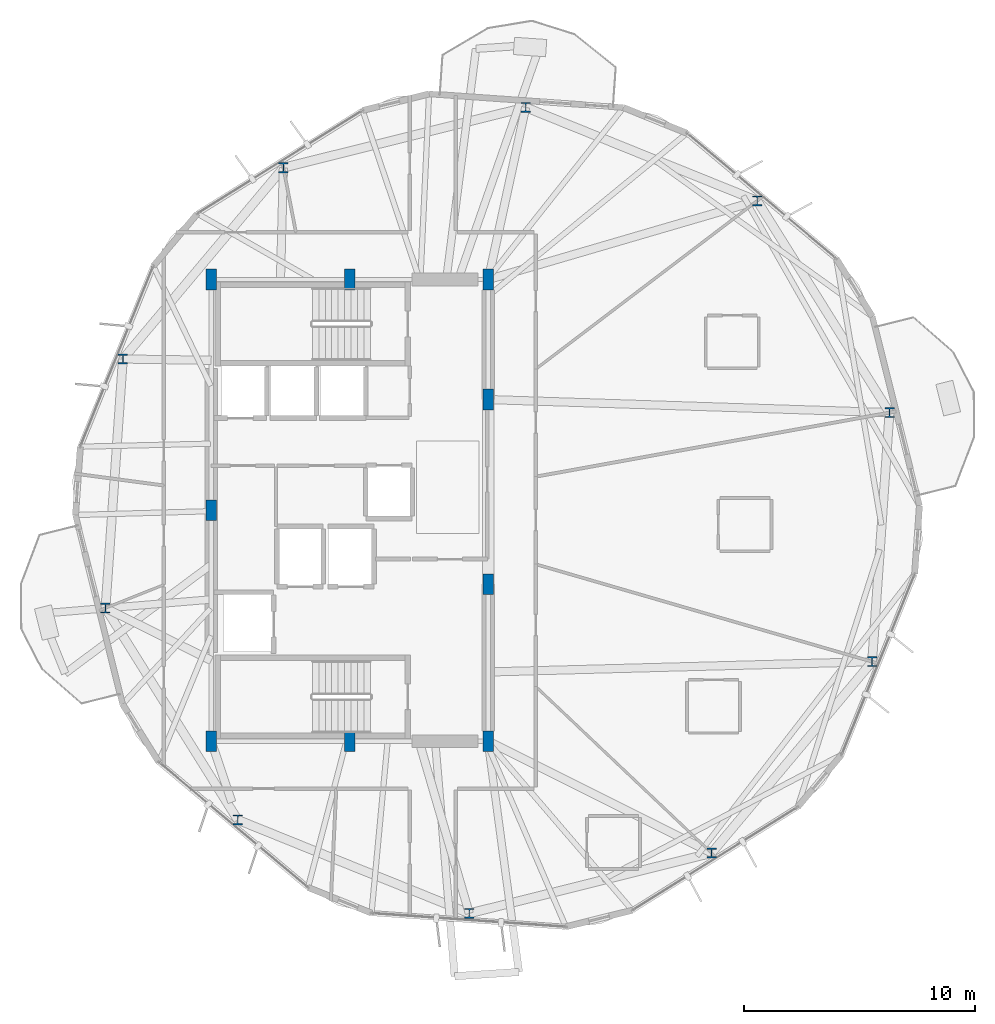
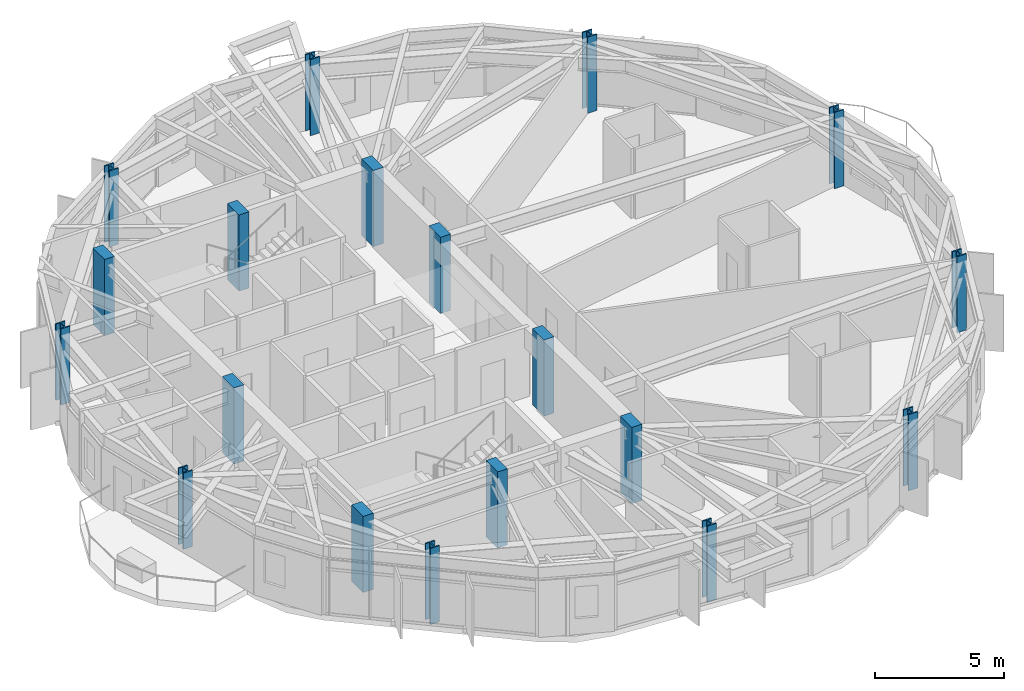
# One storey, part 1 of 22: 19 columns.
"""IFC4 building model written with IfcOpenShell, lengths in metres."""

import ifcopenshell
import ifcopenshell.guid

model = None  # the IFC model being written
_history = None  # IfcOwnerHistory: only IFC2X3 demands one
_inside = {}  # id of a spatial element -> (the spatial element, [elements in it])
_under = {}  # id of a project, library or spatial element -> (it, [spatial elements below it])
_declared = {}  # id of a project -> (the project, [libraries it declares])
_typed = {}  # id of a type object -> (the type object, [elements of that type])
_made_of = {}  # id of a material, layer set ... -> (it, [elements and type objects made of it])


def new_model(schema):
    """Start an empty IFC model of exactly this schema.

    Asked for "IFC4X3", IfcOpenShell would pick the latest addendum, in which some entities
    have other attributes; the version numbers below select the first issue.
    IFC2X3 requires an IfcOwnerHistory on every rooted entity: one is made here for all.
    """
    global model, _history
    if schema == "IFC4X3":
        model = ifcopenshell.file(schema_version=(4, 3, 0, 0))
    else:
        model = ifcopenshell.file(schema=schema)
    _inside.clear()
    _under.clear()
    _declared.clear()
    _typed.clear()
    _made_of.clear()
    _history = None
    if model.schema == "IFC2X3":
        org = make("IfcOrganization", Name="unknown")
        user = make(
            "IfcPersonAndOrganization",
            ThePerson=make("IfcPerson", FamilyName="unknown"),
            TheOrganization=org,
        )
        app = make(
            "IfcApplication",
            ApplicationDeveloper=org,
            Version="unknown",
            ApplicationFullName="unknown",
            ApplicationIdentifier="unknown",
        )
        _history = make(
            "IfcOwnerHistory",
            OwningUser=user,
            OwningApplication=app,
            ChangeAction="ADDED",
            CreationDate=0,
        )
    return model


def make(cls, **values):
    """One entity of the class cls with the attributes given. An attribute that is None is left unset."""
    return model.create_entity(
        cls, **{name: value for name, value in values.items() if value is not None}
    )


def rooted(cls, **values):
    """An entity with a GlobalId (a new one), such as an element, a storey or a relation."""
    return make(cls, GlobalId=ifcopenshell.guid.new(), OwnerHistory=_history, **values)


def si_unit(unit_type, name, prefix=None):
    """IfcSIUnit, for example si_unit("LENGTHUNIT", "METRE", prefix="MILLI")."""
    return make("IfcSIUnit", UnitType=unit_type, Prefix=prefix, Name=name)


def assignment(units):
    """IfcUnitAssignment: the units of a project."""
    return None if units is None else make("IfcUnitAssignment", Units=units)


def point(xyz):
    """IfcCartesianPoint."""
    return None if xyz is None else make("IfcCartesianPoint", Coordinates=xyz)


def direction(xyz):
    """IfcDirection."""
    return None if xyz is None else make("IfcDirection", DirectionRatios=xyz)


def frame(location, z_axis=None, x_axis=None):
    """IfcAxis2Placement3D, a coordinate frame: its origin and axes. An axis left out is left unset."""
    return make(
        "IfcAxis2Placement3D",
        Location=point(location),
        Axis=direction(z_axis),
        RefDirection=direction(x_axis),
    )


def frame_2d(location, x_axis=None):
    """IfcAxis2Placement2D, a coordinate frame in the plane: its origin and x axis."""
    return make(
        "IfcAxis2Placement2D", Location=point(location), RefDirection=direction(x_axis)
    )


def origin():
    """The frame at (0, 0, 0) with its axes left unset."""
    return frame((0.0, 0.0, 0.0))


def origin_2d():
    """The frame at (0, 0) in the plane with its x axis left unset."""
    return frame_2d((0.0, 0.0))


def place(relative_to, where):
    """IfcLocalPlacement: puts the frame where relative to a parent placement (None: the world)."""
    return make(
        "IfcLocalPlacement", PlacementRelTo=relative_to, RelativePlacement=where
    )


def context(
    kind, dimensions, precision=None, world=None, true_north=None, identifier=None
):
    """IfcGeometricRepresentationContext, for example the 3D "Model" context."""
    return make(
        "IfcGeometricRepresentationContext",
        ContextIdentifier=identifier,
        ContextType=kind,
        CoordinateSpaceDimension=dimensions,
        Precision=precision,
        WorldCoordinateSystem=world,
        TrueNorth=true_north,
    )


def subcontext(parent, identifier, kind, view, scale=None):
    """IfcGeometricRepresentationSubContext, for example "Body" below "Model"."""
    return make(
        "IfcGeometricRepresentationSubContext",
        ContextIdentifier=identifier,
        ContextType=kind,
        ParentContext=parent,
        TargetScale=scale,
        TargetView=view,
    )


def project(units=None, contexts=None):
    """IfcProject with its units and contexts."""
    return rooted(
        "IfcProject",
        Name="project",
        RepresentationContexts=contexts,
        UnitsInContext=assignment(units),
    )


def spatial(cls, under=None, at=None, **own):
    """A site, building, storey or space (cls), placed at a placement, below another one or the project."""
    s = rooted(cls, ObjectPlacement=at, **own)
    if under is not None:
        _under.setdefault(under.id(), (under, []))[1].append(s)
    return s


def profile(cls, at=None, kind="AREA", **sizes):
    """A parametric profile (cls). Its sizes go by their IFC names, for example OverallWidth=200.0."""
    return make(cls, ProfileType=kind, Position=at, **sizes)


def rectangle(**sizes):
    """IfcRectangleProfileDef."""
    return profile("IfcRectangleProfileDef", **sizes)


def i_section(**sizes):
    """IfcIShapeProfileDef."""
    return profile("IfcIShapeProfileDef", **sizes)


def extrude(swept, where, along, depth):
    """IfcExtrudedAreaSolid: the profile swept, set in the frame where, extruded along a direction by depth."""
    return make(
        "IfcExtrudedAreaSolid",
        SweptArea=swept,
        Position=where,
        ExtrudedDirection=direction(along),
        Depth=depth,
    )


def shape(context_of_items, identifier, shape_type, items):
    """IfcShapeRepresentation: the items that make up one representation, for example the "Body"."""
    return make(
        "IfcShapeRepresentation",
        ContextOfItems=context_of_items,
        RepresentationIdentifier=identifier,
        RepresentationType=shape_type,
        Items=items,
    )


def material(Name=None, Category=None):
    """IfcMaterial."""
    return make("IfcMaterial", Name=Name, Category=Category)


def material_profile(
    of_material, cross_section, Name=None, Category=None, Priority=None
):
    """IfcMaterialProfile: a cross section and its material."""
    return make(
        "IfcMaterialProfile",
        Name=Name,
        Material=of_material,
        Profile=cross_section,
        Priority=Priority,
        Category=Category,
    )


def profile_set(profiles, Name=None, composite=None):
    """IfcMaterialProfileSet."""
    return make(
        "IfcMaterialProfileSet",
        Name=Name,
        MaterialProfiles=profiles,
        CompositeProfile=composite,
    )


def made_of(thing, what):
    """Note that an element or type object is made of a material, layer set ...; save() writes the relation."""
    if what is not None:
        _made_of.setdefault(what.id(), (what, []))[1].append(thing)
    return thing


def type_object(cls, material=None, **own):
    """A type object (cls), such as IfcWallType, which elements share."""
    return made_of(rooted(cls, **own), material)


def element(
    cls,
    number,
    at=None,
    inside=None,
    cuts=None,
    type_object=None,
    material=None,
    context=None,
    identifier="Body",
    shape_type=None,
    held_by="IfcProductDefinitionShape",
    body=None,
    shapes=None,
    **own,
):
    """One element of the class cls, such as IfcWall. Its Tag is "e" and its number.

    at: its placement. inside: the storey or other place that contains it. cuts: it is an
    opening in that element (IfcRelVoidsElement). A single representation is given by context,
    identifier, shape_type and body (its items); several are given by shapes. held_by: the class
    of the entity that holds the representations. save() writes the other relations.
    """
    e = rooted(cls, Tag="e%d" % number, ObjectPlacement=at, **own)
    if body is not None:
        shapes = [shape(context, identifier, shape_type, body)]
    if shapes is not None:
        e.Representation = make(held_by, Representations=shapes)
    if inside is not None:
        _inside.setdefault(inside.id(), (inside, []))[1].append(e)
    if cuts is not None:
        rooted(
            "IfcRelVoidsElement", RelatingBuildingElement=cuts, RelatedOpeningElement=e
        )
    if type_object is not None:
        _typed.setdefault(type_object.id(), (type_object, []))[1].append(e)
    return made_of(e, material)


def aggregate(whole, parts):
    """IfcRelAggregates: a whole, such as a stair, and the parts it consists of."""
    return rooted("IfcRelAggregates", RelatingObject=whole, RelatedObjects=parts)


def save(model, path):
    """Write the relations noted so far, then the file.

    IfcRelAggregates (storeys below a building ...), IfcRelContainedInSpatialStructure (elements
    in a storey), IfcRelDefinesByType, IfcRelAssociatesMaterial and IfcRelDeclares: one each for
    every whole, place, type object, material and project.
    """
    for whole, parts in _under.values():
        aggregate(whole, parts)
    for where, things in _inside.values():
        rooted(
            "IfcRelContainedInSpatialStructure",
            RelatedElements=things,
            RelatingStructure=where,
        )
    for kind, things in _typed.values():
        rooted("IfcRelDefinesByType", RelatedObjects=things, RelatingType=kind)
    for what, things in _made_of.values():
        rooted("IfcRelAssociatesMaterial", RelatedObjects=things, RelatingMaterial=what)
    for by, libraries in _declared.values():
        rooted("IfcRelDeclares", RelatingContext=by, RelatedDefinitions=libraries)
    model.write(path)


model = new_model("IFC4")

# Units and contexts
model_context = context("Model", 3, precision=1e-05, world=origin(), true_north=direction((0.0, 1.0)))
body_context = subcontext(model_context, "Body", "Model", "MODEL_VIEW")
ifc_project = project(units=[si_unit("LENGTHUNIT", "METRE"), si_unit("AREAUNIT", "SQUARE_METRE"), si_unit("VOLUMEUNIT", "CUBIC_METRE"), si_unit("PLANEANGLEUNIT", "RADIAN"), si_unit("MASSUNIT", "GRAM", prefix="KILO")], contexts=[model_context])

# Site, building, storey
site_placement = place(None, origin())
site = spatial("IfcSite", under=ifc_project, at=site_placement, CompositionType="ELEMENT")
building_placement = place(site_placement, origin())
building = spatial("IfcBuilding", under=site, at=building_placement, Name="Soratama Intermodal Tower", CompositionType="ELEMENT")
storey_placement = place(building_placement, frame((0.0, 0.0, 157.0)))
storey = spatial("IfcBuildingStorey", under=building, at=storey_placement, Name="L38", CompositionType="ELEMENT", Elevation=157.0)

# Columns
ifc_material_1 = material(Name="Structural steel ASTM A992 Grade 50", Category="steel")
ifc_material_profile_1 = material_profile(ifc_material_1, i_section(OverallWidth=0.412109375, OverallDepth=0.43505859375, WebThickness=0.035888671875, FlangeThickness=0.057373046875, FilletRadius=0.0380859375, at=origin_2d()), Name="W14X311")
ifc_profile_set_1 = profile_set([ifc_material_profile_1], Name="Structural steel ASTM A992 Grade 50")
column_type_1 = type_object("IfcColumnType", Name="COL-ZC-W14X311", PredefinedType="COLUMN", material=ifc_profile_set_1)
for number, where, z_axis, x_axis, name in (
    (1, (61.980224609375, 29.233642578125, 0.0), (0.0, 0.0, 1.0), (1.0, 0.0, 0.0), "L38 Tower Ring Column R01"),
    (2, (56.248779296875, 38.40576171875, 0.0), (0.0, 0.0, 1.0), (1.0, 0.0, 0.0), "L38 Tower Ring Column R02"),
    (3, (46.220703125, 42.45751953125, 0.0), (0.0, 0.0, 1.0), (1.0, 0.0, 0.0), "L38 Tower Ring Column R03"),
    (4, (35.726318359375, 39.8408203125, 0.0), (0.0, 0.0, 1.0), (1.0, 0.0, 0.0), "L38 Tower Ring Column R04"),
    (5, (28.7744140625, 31.5556640625, 0.0), (0.0, 0.0, 1.0), (1.0, 0.0, 0.0), "L38 Tower Ring Column R05"),
    (6, (28.019775390625, 20.766357421875, 0.0), (0.0, 0.0, 1.0), (1.0, 0.0, 0.0), "L38 Tower Ring Column R06"),
    (7, (33.751220703125, 11.59423828125, 0.0), (0.0, 0.0, 1.0), (1.0, 0.0, 0.0), "L38 Tower Ring Column R07"),
    (8, (43.779296875, 7.54248046875, 0.0), (0.0, 0.0, 1.0), (1.0, 0.0, 0.0), "L38 Tower Ring Column R08"),
    (9, (54.273681640625, 10.1591796875, 0.0), (0.0, 0.0, 1.0), (1.0, 0.0, 0.0), "L38 Tower Ring Column R09"),
    (10, (61.2255859375, 18.4443359375, 0.0), (0.0, 0.0, 1.0), (1.0, 0.0, 0.0), "L38 Tower Ring Column R10"),
):
    element("IfcColumn", number, at=place(storey_placement, frame(where, z_axis=z_axis, x_axis=x_axis)), inside=storey, type_object=column_type_1, Name=name, PredefinedType="COLUMN", context=body_context, shape_type="SweptSolid", body=[
        extrude(i_section(OverallWidth=0.412109375, OverallDepth=0.43505859375, WebThickness=0.035888671875, FlangeThickness=0.057373046875, FilletRadius=0.0380859375, at=origin_2d()), origin(), (0.0, 0.0, 1.0), 3.60009765625),
    ])
ifc_material_2 = material(Name="Concrete f'c 56 MPa", Category="concrete")
ifc_material_profile_2 = material_profile(ifc_material_2, rectangle(XDim=0.449951171875, YDim=0.89990234375, at=origin_2d()), Name="RC450X900")
ifc_profile_set_2 = profile_set([ifc_material_profile_2], Name="Concrete f'c 56 MPa")
column_type_2 = type_object("IfcColumnType", Name="PIL-CORE-450X900", PredefinedType="PILASTER", material=ifc_profile_set_2)
for number, where, z_axis, x_axis, name in (
    (11, (32.60009765625, 15.0, 0.0), (0.0, 0.0, 1.0), (1.0, 0.0, 0.0), "L38 Core Pilaster 1"),
    (12, (32.60009765625, 25.0, 0.0), (0.0, 0.0, 1.0), (1.0, 0.0, 0.0), "L38 Core Pilaster 2"),
    (13, (32.60009765625, 35.0, 0.0), (0.0, 0.0, 1.0), (1.0, 0.0, 0.0), "L38 Core Pilaster 3"),
    (14, (38.60009765625, 15.0, 0.0), (0.0, 0.0, 1.0), (1.0, 0.0, 0.0), "L38 Core Pilaster 4"),
    (15, (38.60009765625, 35.0, 0.0), (0.0, 0.0, 1.0), (1.0, 0.0, 0.0), "L38 Core Pilaster 5"),
    (16, (44.60009765625, 15.0, 0.0), (0.0, 0.0, 1.0), (1.0, 0.0, 0.0), "L38 Core Pilaster 6"),
    (17, (44.60009765625, 21.800048828125, 0.0), (0.0, 0.0, 1.0), (1.0, 0.0, 0.0), "L38 Core Pilaster 7"),
    (18, (44.60009765625, 29.800048828125, 0.0), (0.0, 0.0, 1.0), (1.0, 0.0, 0.0), "L38 Core Pilaster 8"),
    (19, (44.60009765625, 35.0, 0.0), (0.0, 0.0, 1.0), (1.0, 0.0, 0.0), "L38 Core Pilaster 9"),
):
    element("IfcColumn", number, at=place(storey_placement, frame(where, z_axis=z_axis, x_axis=x_axis)), inside=storey, type_object=column_type_2, Name=name, PredefinedType="PILASTER", context=body_context, shape_type="SweptSolid", body=[
        extrude(rectangle(XDim=0.449951171875, YDim=0.89990234375, at=origin_2d()), origin(), (0.0, 0.0, 1.0), 3.60009765625),
    ])

save(model, "model.ifc")
